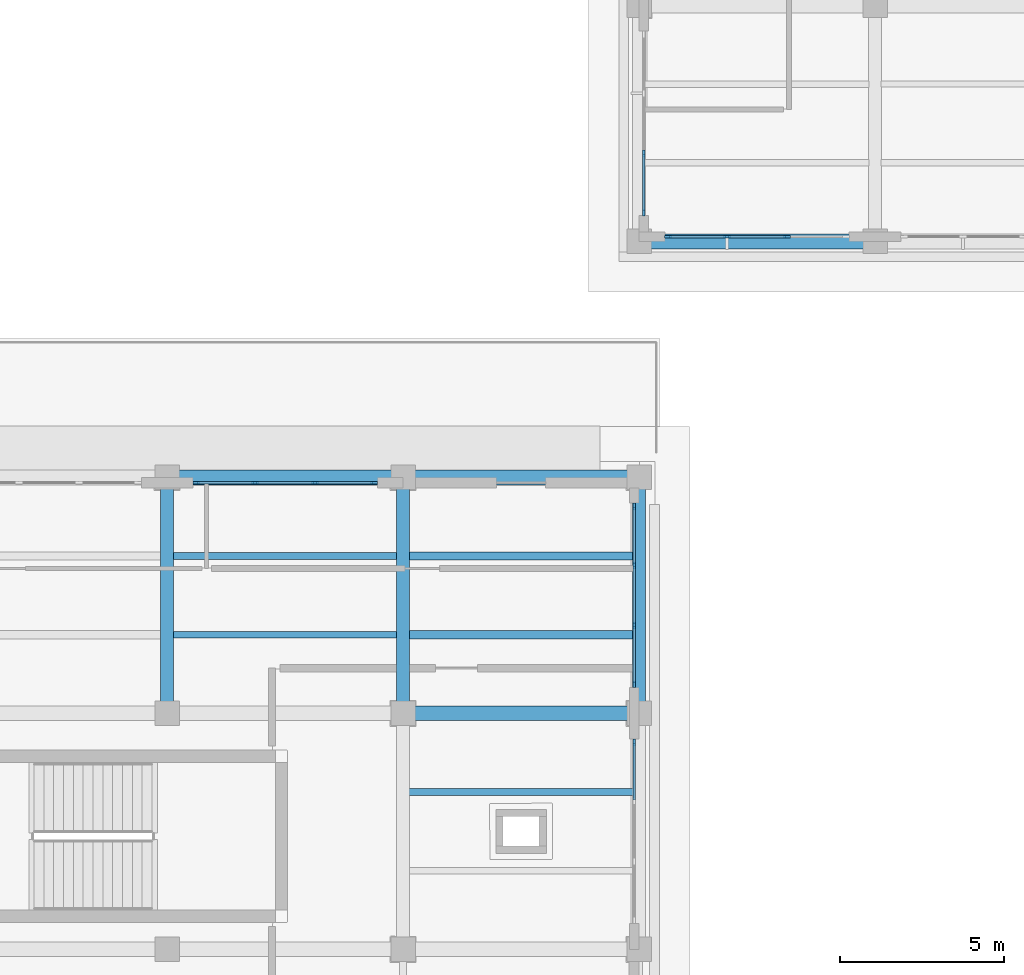
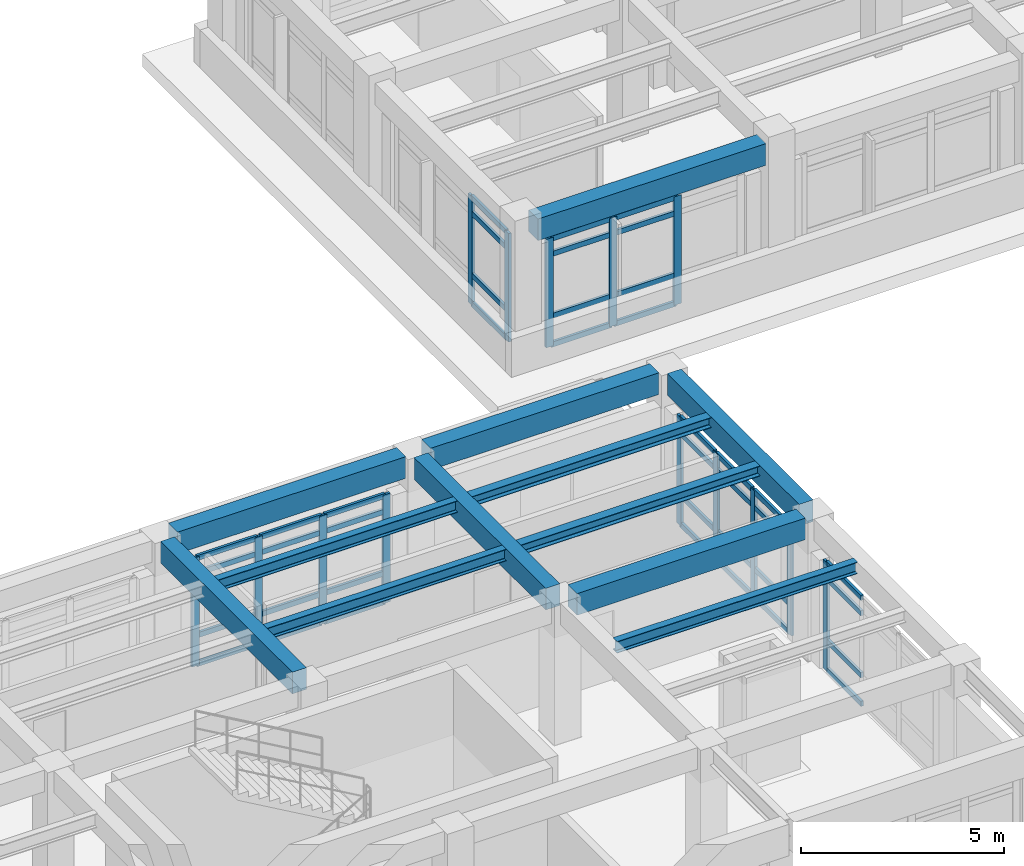
# One storey, part 13 of 64: 54 members, 12 beams, 5 elements without a shape of their own.
"""IFC4 building model written with IfcOpenShell, lengths in metres."""

from ifc_helpers import new_model, si_unit, direction, frame, origin, origin_2d, place, context, subcontext, project, spatial, rectangle, i_section, extrude, material, layer, layer_set, material_profile, profile_set, type_object, element, aggregate, save


model = new_model("IFC4")

# Units and contexts
model_context = context("Model", 3, precision=1e-05, world=origin(), true_north=direction((0.0, 1.0)))
body_context = subcontext(model_context, "Body", "Model", "MODEL_VIEW")
ifc_project = project(units=[si_unit("LENGTHUNIT", "METRE"), si_unit("AREAUNIT", "SQUARE_METRE"), si_unit("VOLUMEUNIT", "CUBIC_METRE"), si_unit("PLANEANGLEUNIT", "RADIAN"), si_unit("MASSUNIT", "GRAM", prefix="KILO")], contexts=[model_context])

# Site, building, storey
site_placement = place(None, origin())
site = spatial("IfcSite", under=ifc_project, at=site_placement, CompositionType="ELEMENT")
building_placement = place(site_placement, origin())
building = spatial("IfcBuilding", under=site, at=building_placement, Name="Solenvale Faculty of Natural Sciences", CompositionType="ELEMENT")
storey_placement = place(building_placement, frame((0.0, 0.0, 18.0)))
storey = spatial("IfcBuildingStorey", under=building, at=storey_placement, Name="L04", CompositionType="ELEMENT", Elevation=18.0)

# Beams
ifc_material_1 = material(Name="Concrete 40 MPa", Category="concrete")
ifc_material_profile_1 = material_profile(ifc_material_1, rectangle(XDim=0.39990234375, YDim=0.64990234375, at=origin_2d()), Name="RC-BM-400x650")
ifc_profile_set_1 = profile_set([ifc_material_profile_1], Name="Concrete 40 MPa")
beam_type_1 = type_object("IfcBeamType", Name="BM-RC-400x650", PredefinedType="BEAM", material=ifc_profile_set_1)
for number, where, z_axis, x_axis, name in (
    (1, (100.800048828125, 29.155029296875, 3.89501953125), (0.0, 1.0, 0.0), (-1.0, 0.0, 0.0), "L04 Y-Girder X100.8 (28.8..36.0)"),
    (2, (108.0, 29.155029296875, 3.89501953125), (0.0, 1.0, 0.0), (-1.0, 0.0, 0.0), "L04 Y-Girder X108.0 (28.8..36.0)"),
    (3, (115.199951171875, 29.155029296875, 3.89501953125), (0.0, 1.0, 0.0), (-1.0, 0.0, 0.0), "L04 Y-Girder X115.2 (28.8..36.0)"),
):
    element("IfcBeam", number, at=place(storey_placement, frame(where, z_axis=z_axis, x_axis=x_axis)), inside=storey, type_object=beam_type_1, Name=name, PredefinedType="BEAM", context=body_context, shape_type="SweptSolid", body=[
        extrude(rectangle(XDim=0.39990234375, YDim=0.64990234375, at=origin_2d()), origin(), (0.0, 0.0, 1.0), 6.489990234375),
    ])
ifc_material_profile_2 = material_profile(ifc_material_1, rectangle(XDim=0.449951171875, YDim=0.64990234375, at=origin_2d()), Name="RC-BM-450x650")
ifc_profile_set_2 = profile_set([ifc_material_profile_2], Name="Concrete 40 MPa")
beam_type_2 = type_object("IfcBeamType", Name="BM-RC-450x650", PredefinedType="BEAM", material=ifc_profile_set_2)
for number, where, z_axis, x_axis, name in (
    (4, (108.35498046875, 28.800048828125, 3.89501953125), (1.0, 0.0, 0.0), (0.0, 1.0, 0.0), "L04 X-Girder Y28.8 (108.0..115.2)"),
    (5, (101.155029296875, 36.0, 3.89501953125), (1.0, 0.0, 0.0), (0.0, 1.0, 0.0), "L04 X-Girder Y36.0 (100.8..108.0)"),
    (6, (108.35498046875, 36.0, 3.89501953125), (1.0, 0.0, 0.0), (0.0, 1.0, 0.0), "L04 X-Girder Y36.0 (108.0..115.2)"),
    (7, (115.554931640625, 43.199951171875, 3.89501953125), (1.0, 0.0, 0.0), (0.0, 1.0, 0.0), "L04 X-Girder Y43.2 (115.2..122.4)"),
):
    element("IfcBeam", number, at=place(storey_placement, frame(where, z_axis=z_axis, x_axis=x_axis)), inside=storey, type_object=beam_type_2, Name=name, PredefinedType="BEAM", context=body_context, shape_type="SweptSolid", body=[
        extrude(rectangle(XDim=0.449951171875, YDim=0.64990234375, at=origin_2d()), origin(), (0.0, 0.0, 1.0), 6.489990234375),
    ])
ifc_material_2 = material(Name="Steel S355", Category="steel")
ifc_material_profile_3 = material_profile(ifc_material_2, i_section(OverallWidth=0.25390625, OverallDepth=0.305908203125, WebThickness=0.0087890625, FlangeThickness=0.0146484375, FilletRadius=0.014892578125, at=origin_2d()), Name="W310x79")
ifc_profile_set_3 = profile_set([ifc_material_profile_3], Name="Steel S355")
beam_type_3 = type_object("IfcBeamType", Name="BM-STL-W310x79", PredefinedType="JOIST", material=ifc_profile_set_3)
for number, where, z_axis, x_axis, name in (
    (8, (108.179931640625, 31.199951171875, 4.06689453125), (1.0, 0.0, 0.0), (0.0, 1.0, 0.0), "L04 Composite Floor Joist (16,5).1"),
    (9, (108.179931640625, 33.60009765625, 4.06689453125), (1.0, 0.0, 0.0), (0.0, 1.0, 0.0), "L04 Composite Floor Joist (16,5).2"),
):
    element("IfcBeam", number, at=place(storey_placement, frame(where, z_axis=z_axis, x_axis=x_axis)), inside=storey, type_object=beam_type_3, Name=name, PredefinedType="JOIST", context=body_context, shape_type="SweptSolid", body=[
        extrude(i_section(OverallWidth=0.25390625, OverallDepth=0.305908203125, WebThickness=0.0087890625, FlangeThickness=0.0146484375, FilletRadius=0.014892578125, at=origin_2d()), origin(), (0.0, 0.0, 1.0), 6.840087890625),
    ])
ifc_material_profile_4 = material_profile(ifc_material_2, i_section(OverallWidth=0.2041015625, OverallDepth=0.35009765625, WebThickness=0.008544921875, FlangeThickness=0.01513671875, FilletRadius=0.014892578125, at=origin_2d()), Name="W360x72")
ifc_profile_set_4 = profile_set([ifc_material_profile_4], Name="Steel S355")
beam_type_4 = type_object("IfcBeamType", Name="BM-STL-W360x72", PredefinedType="JOIST", material=ifc_profile_set_4)
for number, where, z_axis, x_axis, name in (
    (10, (100.97998046875, 31.199951171875, 4.044921875), (1.0, 0.0, 0.0), (0.0, 1.0, 0.0), "L04 Composite Floor Joist (15,5).1"),
    (11, (100.97998046875, 33.60009765625, 4.044921875), (1.0, 0.0, 0.0), (0.0, 1.0, 0.0), "L04 Composite Floor Joist (15,5).2"),
    (12, (108.179931640625, 26.39990234375, 4.044921875), (1.0, 0.0, 0.0), (0.0, 1.0, 0.0), "L04 Composite Floor Joist (16,4).2"),
):
    element("IfcBeam", number, at=place(storey_placement, frame(where, z_axis=z_axis, x_axis=x_axis)), inside=storey, type_object=beam_type_4, Name=name, PredefinedType="JOIST", context=body_context, shape_type="SweptSolid", body=[
        extrude(i_section(OverallWidth=0.2041015625, OverallDepth=0.35009765625, WebThickness=0.008544921875, FlangeThickness=0.01513671875, FilletRadius=0.014892578125, at=origin_2d()), origin(), (0.0, 0.0, 1.0), 6.840087890625),
    ])

# Curtain wall, member
ifc_material_3 = material(Name="Anodised bronze aluminium", Category="aluminium")
ifc_layer_1 = layer(ifc_material_3, 0.179931640625)
ifc_layer_set_1 = layer_set([ifc_layer_1], Name="Anodised bronze aluminium")
curtain_wall_type_1 = type_object("IfcCurtainWallType", Name="CW-TWR-MOD", PredefinedType="USERDEFINED", material=ifc_layer_set_1)
curtain_wall_1_placement = place(storey_placement, origin())
curtain_wall_1 = element("IfcCurtainWall", 13, at=curtain_wall_1_placement, inside=storey, type_object=curtain_wall_type_1, Name="L04 Curtain Wall CW-L04-P1-E7-B2", ObjectType="UNITISED CURTAIN WALL", PredefinedType="USERDEFINED")
ifc_material_profile_5 = material_profile(ifc_material_3, rectangle(XDim=0.074951171875, YDim=0.2099609375, at=origin_2d()), Name="ALU-MUL-75x210")
ifc_profile_set_5 = profile_set([ifc_material_profile_5], Name="Anodised bronze aluminium")
member_type_1 = type_object("IfcMemberType", Name="CWM-ALU-75x210", PredefinedType="MULLION", material=ifc_profile_set_5)
member_1_placement = place(storey_placement, frame((115.0576171875, 27.91259765625, 0.0), z_axis=(0.0, 0.0, 1.0), x_axis=(-1.0, 0.0, 0.0)))
member_1 = element("IfcMember", 14, at=member_1_placement, type_object=member_type_1, Name="CW-04 mullion 4", PredefinedType="MULLION", context=body_context, shape_type="SweptSolid", body=[
    extrude(rectangle(XDim=0.074951171875, YDim=0.2099609375, at=origin_2d()), origin(), (0.0, 0.0, 1.0), 3.260009765625),
])

# Curtain wall, members
curtain_wall_2_placement = place(storey_placement, origin())
curtain_wall_2 = element("IfcCurtainWall", 15, at=curtain_wall_2_placement, inside=storey, type_object=curtain_wall_type_1, Name="L04 Curtain Wall CW-L04-P1-E7-B3", ObjectType="UNITISED CURTAIN WALL", PredefinedType="USERDEFINED")
member_2_placement = place(storey_placement, frame((115.0576171875, 29.6875, 0.0), z_axis=(0.0, 0.0, 1.0), x_axis=(-1.0, 0.0, 0.0)))
member_2 = element("IfcMember", 16, at=member_2_placement, type_object=member_type_1, Name="CW-04 mullion 1", PredefinedType="MULLION", context=body_context, shape_type="SweptSolid", body=[
    extrude(rectangle(XDim=0.074951171875, YDim=0.2099609375, at=origin_2d()), origin(), (0.0, 0.0, 1.0), 3.260009765625),
])
member_3_placement = place(storey_placement, frame((115.0576171875, 31.4833984375, 0.0), z_axis=(0.0, 0.0, 1.0), x_axis=(-1.0, 0.0, 0.0)))
member_3 = element("IfcMember", 17, at=member_3_placement, type_object=member_type_1, Name="CW-04 mullion 2", PredefinedType="MULLION", context=body_context, shape_type="SweptSolid", body=[
    extrude(rectangle(XDim=0.074951171875, YDim=0.2099609375, at=origin_2d()), origin(), (0.0, 0.0, 1.0), 3.260009765625),
])
member_4_placement = place(storey_placement, frame((115.0576171875, 33.316650390625, 0.0), z_axis=(0.0, 0.0, 1.0), x_axis=(-1.0, 0.0, 0.0)))
member_4 = element("IfcMember", 18, at=member_4_placement, type_object=member_type_1, Name="CW-04 mullion 3", PredefinedType="MULLION", context=body_context, shape_type="SweptSolid", body=[
    extrude(rectangle(XDim=0.074951171875, YDim=0.2099609375, at=origin_2d()), origin(), (0.0, 0.0, 1.0), 3.260009765625),
])
member_5_placement = place(storey_placement, frame((115.0576171875, 35.112548828125, 0.0), z_axis=(0.0, 0.0, 1.0), x_axis=(-1.0, 0.0, 0.0)))
member_5 = element("IfcMember", 19, at=member_5_placement, type_object=member_type_1, Name="CW-04 mullion 4", PredefinedType="MULLION", context=body_context, shape_type="SweptSolid", body=[
    extrude(rectangle(XDim=0.074951171875, YDim=0.2099609375, at=origin_2d()), origin(), (0.0, 0.0, 1.0), 3.260009765625),
])

ifc_layer_2 = layer(ifc_material_3, 0.18994140625)
ifc_layer_set_2 = layer_set([ifc_layer_2], Name="Anodised bronze aluminium")
curtain_wall_type_2 = type_object("IfcCurtainWallType", Name="CW-TRAY-REC", PredefinedType="USERDEFINED", material=ifc_layer_set_2)
curtain_wall_3_placement = place(storey_placement, origin())
curtain_wall_3 = element("IfcCurtainWall", 20, at=curtain_wall_3_placement, inside=storey, type_object=curtain_wall_type_2, Name="L04 Curtain Wall CW-L04-P1-E8-B2", ObjectType="UNITISED CURTAIN WALL", PredefinedType="USERDEFINED")
member_6_placement = place(storey_placement, frame((107.112548828125, 35.83740234375, 0.0), z_axis=(0.0, 0.0, 1.0), x_axis=(0.0, -1.0, 0.0)))
member_6 = element("IfcMember", 21, at=member_6_placement, type_object=member_type_1, Name="CW-02 mullion 1", PredefinedType="MULLION", context=body_context, shape_type="SweptSolid", body=[
    extrude(rectangle(XDim=0.074951171875, YDim=0.2099609375, at=origin_2d()), origin(), (0.0, 0.0, 1.0), 3.260009765625),
])
member_7_placement = place(storey_placement, frame((105.316650390625, 35.83740234375, 0.0), z_axis=(0.0, 0.0, 1.0), x_axis=(0.0, -1.0, 0.0)))
member_7 = element("IfcMember", 22, at=member_7_placement, type_object=member_type_1, Name="CW-02 mullion 2", PredefinedType="MULLION", context=body_context, shape_type="SweptSolid", body=[
    extrude(rectangle(XDim=0.074951171875, YDim=0.2099609375, at=origin_2d()), origin(), (0.0, 0.0, 1.0), 3.260009765625),
])
member_8_placement = place(storey_placement, frame((103.4833984375, 35.83740234375, 0.0), z_axis=(0.0, 0.0, 1.0), x_axis=(0.0, -1.0, 0.0)))
member_8 = element("IfcMember", 23, at=member_8_placement, type_object=member_type_1, Name="CW-02 mullion 3", PredefinedType="MULLION", context=body_context, shape_type="SweptSolid", body=[
    extrude(rectangle(XDim=0.074951171875, YDim=0.2099609375, at=origin_2d()), origin(), (0.0, 0.0, 1.0), 3.260009765625),
])
member_9_placement = place(storey_placement, frame((101.6875, 35.83740234375, 0.0), z_axis=(0.0, 0.0, 1.0), x_axis=(0.0, -1.0, 0.0)))
member_9 = element("IfcMember", 24, at=member_9_placement, type_object=member_type_1, Name="CW-02 mullion 4", PredefinedType="MULLION", context=body_context, shape_type="SweptSolid", body=[
    extrude(rectangle(XDim=0.074951171875, YDim=0.2099609375, at=origin_2d()), origin(), (0.0, 0.0, 1.0), 3.260009765625),
])

ifc_layer_3 = layer(ifc_material_3, 0.199951171875)
ifc_layer_set_3 = layer_set([ifc_layer_3], Name="Anodised bronze aluminium")
curtain_wall_type_3 = type_object("IfcCurtainWallType", Name="CW-COM-FIN", PredefinedType="USERDEFINED", material=ifc_layer_set_3)
curtain_wall_4_placement = place(storey_placement, origin())
curtain_wall_4 = element("IfcCurtainWall", 25, at=curtain_wall_4_placement, inside=storey, type_object=curtain_wall_type_3, Name="L04 Curtain Wall CW-L04-P2-E1-B1", ObjectType="UNITISED CURTAIN WALL", PredefinedType="USERDEFINED")
member_10_placement = place(storey_placement, frame((116.08740234375, 43.342529296875, 0.0), z_axis=(0.0, 0.0, 1.0), x_axis=(0.0, 1.0, 0.0)))
member_10 = element("IfcMember", 26, at=member_10_placement, type_object=member_type_1, Name="CW-03 mullion 1", PredefinedType="MULLION", context=body_context, shape_type="SweptSolid", body=[
    extrude(rectangle(XDim=0.074951171875, YDim=0.2099609375, at=origin_2d()), origin(), (0.0, 0.0, 1.0), 3.260009765625),
])
member_11_placement = place(storey_placement, frame((117.88330078125, 43.342529296875, 0.0), z_axis=(0.0, 0.0, 1.0), x_axis=(0.0, 1.0, 0.0)))
member_11 = element("IfcMember", 27, at=member_11_placement, type_object=member_type_1, Name="CW-03 mullion 2", PredefinedType="MULLION", context=body_context, shape_type="SweptSolid", body=[
    extrude(rectangle(XDim=0.074951171875, YDim=0.2099609375, at=origin_2d()), origin(), (0.0, 0.0, 1.0), 3.260009765625),
])
member_12_placement = place(storey_placement, frame((119.716552734375, 43.342529296875, 0.0), z_axis=(0.0, 0.0, 1.0), x_axis=(0.0, 1.0, 0.0)))
member_12 = element("IfcMember", 28, at=member_12_placement, type_object=member_type_1, Name="CW-03 mullion 3", PredefinedType="MULLION", context=body_context, shape_type="SweptSolid", body=[
    extrude(rectangle(XDim=0.074951171875, YDim=0.2099609375, at=origin_2d()), origin(), (0.0, 0.0, 1.0), 3.260009765625),
])

curtain_wall_5_placement = place(storey_placement, origin())
curtain_wall_5 = element("IfcCurtainWall", 29, at=curtain_wall_5_placement, inside=storey, type_object=curtain_wall_type_3, Name="L04 Curtain Wall CW-L04-P2-E4-B2", ObjectType="UNITISED CURTAIN WALL", PredefinedType="USERDEFINED")
member_13_placement = place(storey_placement, frame((115.342529296875, 45.88330078125, 0.0), z_axis=(0.0, 0.0, 1.0), x_axis=(1.0, 0.0, 0.0)))
member_13 = element("IfcMember", 30, at=member_13_placement, type_object=member_type_1, Name="CW-03 mullion 3", PredefinedType="MULLION", context=body_context, shape_type="SweptSolid", body=[
    extrude(rectangle(XDim=0.074951171875, YDim=0.2099609375, at=origin_2d()), origin(), (0.0, 0.0, 1.0), 3.260009765625),
])
member_14_placement = place(storey_placement, frame((115.342529296875, 44.08740234375, 0.0), z_axis=(0.0, 0.0, 1.0), x_axis=(1.0, 0.0, 0.0)))
member_14 = element("IfcMember", 31, at=member_14_placement, type_object=member_type_1, Name="CW-03 mullion 4", PredefinedType="MULLION", context=body_context, shape_type="SweptSolid", body=[
    extrude(rectangle(XDim=0.074951171875, YDim=0.2099609375, at=origin_2d()), origin(), (0.0, 0.0, 1.0), 3.260009765625),
])

# Member
ifc_material_profile_6 = material_profile(ifc_material_3, rectangle(XDim=0.074951171875, YDim=0.155029296875, at=origin_2d()), Name="ALU-TRN-75x155")
ifc_profile_set_6 = profile_set([ifc_material_profile_6], Name="Anodised bronze aluminium")
member_type_2 = type_object("IfcMemberType", Name="CWT-ALU-75x155", PredefinedType="USERDEFINED", material=ifc_profile_set_6)
member_15_placement = place(storey_placement, frame((115.0576171875, 26.154052734375, 0.03759765625), z_axis=(0.0, 1.0, 0.0), x_axis=(-1.0, 0.0, 0.0)))
member_15 = element("IfcMember", 32, at=member_15_placement, type_object=member_type_2, Name="CW-04 transom 3.1", ObjectType="TRANSOM", PredefinedType="USERDEFINED", context=body_context, shape_type="SweptSolid", body=[
    extrude(rectangle(XDim=0.074951171875, YDim=0.155029296875, at=origin_2d()), origin(), (0.0, 0.0, 1.0), 1.720947265625),
])

member_16_placement = place(storey_placement, frame((115.0576171875, 26.154052734375, 0.89990234375), z_axis=(0.0, 1.0, 0.0), x_axis=(-1.0, 0.0, 0.0)))
member_16 = element("IfcMember", 33, at=member_16_placement, type_object=member_type_2, Name="CW-04 transom 3.2", ObjectType="TRANSOM", PredefinedType="USERDEFINED", context=body_context, shape_type="SweptSolid", body=[
    extrude(rectangle(XDim=0.074951171875, YDim=0.155029296875, at=origin_2d()), origin(), (0.0, 0.0, 1.0), 1.720947265625),
])

member_17_placement = place(storey_placement, frame((115.0576171875, 26.154052734375, 2.760009765625), z_axis=(0.0, 1.0, 0.0), x_axis=(-1.0, 0.0, 0.0)))
member_17 = element("IfcMember", 34, at=member_17_placement, type_object=member_type_2, Name="CW-04 transom 3.3", ObjectType="TRANSOM", PredefinedType="USERDEFINED", context=body_context, shape_type="SweptSolid", body=[
    extrude(rectangle(XDim=0.074951171875, YDim=0.155029296875, at=origin_2d()), origin(), (0.0, 0.0, 1.0), 1.720947265625),
])

member_18_placement = place(storey_placement, frame((115.0576171875, 26.154052734375, 3.222412109375), z_axis=(0.0, 1.0, 0.0), x_axis=(-1.0, 0.0, 0.0)))
member_18 = element("IfcMember", 35, at=member_18_placement, type_object=member_type_2, Name="CW-04 transom 3.4", ObjectType="TRANSOM", PredefinedType="USERDEFINED", context=body_context, shape_type="SweptSolid", body=[
    extrude(rectangle(XDim=0.074951171875, YDim=0.155029296875, at=origin_2d()), origin(), (0.0, 0.0, 1.0), 1.720947265625),
])

aggregate(curtain_wall_1, [member_1, member_15, member_16, member_17, member_18])

member_19_placement = place(storey_placement, frame((115.0576171875, 29.72509765625, 0.03759765625), z_axis=(0.0, 1.0, 0.0), x_axis=(-1.0, 0.0, 0.0)))
member_19 = element("IfcMember", 36, at=member_19_placement, type_object=member_type_2, Name="CW-04 transom 1.1", ObjectType="TRANSOM", PredefinedType="USERDEFINED", context=body_context, shape_type="SweptSolid", body=[
    extrude(rectangle(XDim=0.074951171875, YDim=0.155029296875, at=origin_2d()), origin(), (0.0, 0.0, 1.0), 1.720703125),
])

member_20_placement = place(storey_placement, frame((115.0576171875, 29.72509765625, 0.89990234375), z_axis=(0.0, 1.0, 0.0), x_axis=(-1.0, 0.0, 0.0)))
member_20 = element("IfcMember", 37, at=member_20_placement, type_object=member_type_2, Name="CW-04 transom 1.2", ObjectType="TRANSOM", PredefinedType="USERDEFINED", context=body_context, shape_type="SweptSolid", body=[
    extrude(rectangle(XDim=0.074951171875, YDim=0.155029296875, at=origin_2d()), origin(), (0.0, 0.0, 1.0), 1.720703125),
])

member_21_placement = place(storey_placement, frame((115.0576171875, 29.72509765625, 2.760009765625), z_axis=(0.0, 1.0, 0.0), x_axis=(-1.0, 0.0, 0.0)))
member_21 = element("IfcMember", 38, at=member_21_placement, type_object=member_type_2, Name="CW-04 transom 1.3", ObjectType="TRANSOM", PredefinedType="USERDEFINED", context=body_context, shape_type="SweptSolid", body=[
    extrude(rectangle(XDim=0.074951171875, YDim=0.155029296875, at=origin_2d()), origin(), (0.0, 0.0, 1.0), 1.720703125),
])

member_22_placement = place(storey_placement, frame((115.0576171875, 29.72509765625, 3.222412109375), z_axis=(0.0, 1.0, 0.0), x_axis=(-1.0, 0.0, 0.0)))
member_22 = element("IfcMember", 39, at=member_22_placement, type_object=member_type_2, Name="CW-04 transom 1.4", ObjectType="TRANSOM", PredefinedType="USERDEFINED", context=body_context, shape_type="SweptSolid", body=[
    extrude(rectangle(XDim=0.074951171875, YDim=0.155029296875, at=origin_2d()), origin(), (0.0, 0.0, 1.0), 1.720703125),
])

member_23_placement = place(storey_placement, frame((115.0576171875, 31.520751953125, 0.03759765625), z_axis=(0.0, 1.0, 0.0), x_axis=(-1.0, 0.0, 0.0)))
member_23 = element("IfcMember", 40, at=member_23_placement, type_object=member_type_2, Name="CW-04 transom 2.1", ObjectType="TRANSOM", PredefinedType="USERDEFINED", context=body_context, shape_type="SweptSolid", body=[
    extrude(rectangle(XDim=0.074951171875, YDim=0.155029296875, at=origin_2d()), origin(), (0.0, 0.0, 1.0), 1.75830078125),
])

member_24_placement = place(storey_placement, frame((115.0576171875, 31.520751953125, 0.89990234375), z_axis=(0.0, 1.0, 0.0), x_axis=(-1.0, 0.0, 0.0)))
member_24 = element("IfcMember", 41, at=member_24_placement, type_object=member_type_2, Name="CW-04 transom 2.2", ObjectType="TRANSOM", PredefinedType="USERDEFINED", context=body_context, shape_type="SweptSolid", body=[
    extrude(rectangle(XDim=0.074951171875, YDim=0.155029296875, at=origin_2d()), origin(), (0.0, 0.0, 1.0), 1.75830078125),
])

member_25_placement = place(storey_placement, frame((115.0576171875, 31.520751953125, 2.760009765625), z_axis=(0.0, 1.0, 0.0), x_axis=(-1.0, 0.0, 0.0)))
member_25 = element("IfcMember", 42, at=member_25_placement, type_object=member_type_2, Name="CW-04 transom 2.3", ObjectType="TRANSOM", PredefinedType="USERDEFINED", context=body_context, shape_type="SweptSolid", body=[
    extrude(rectangle(XDim=0.074951171875, YDim=0.155029296875, at=origin_2d()), origin(), (0.0, 0.0, 1.0), 1.75830078125),
])

member_26_placement = place(storey_placement, frame((115.0576171875, 31.520751953125, 3.222412109375), z_axis=(0.0, 1.0, 0.0), x_axis=(-1.0, 0.0, 0.0)))
member_26 = element("IfcMember", 43, at=member_26_placement, type_object=member_type_2, Name="CW-04 transom 2.4", ObjectType="TRANSOM", PredefinedType="USERDEFINED", context=body_context, shape_type="SweptSolid", body=[
    extrude(rectangle(XDim=0.074951171875, YDim=0.155029296875, at=origin_2d()), origin(), (0.0, 0.0, 1.0), 1.75830078125),
])

member_27_placement = place(storey_placement, frame((115.0576171875, 33.354248046875, 0.03759765625), z_axis=(0.0, 1.0, 0.0), x_axis=(-1.0, 0.0, 0.0)))
member_27 = element("IfcMember", 44, at=member_27_placement, type_object=member_type_2, Name="CW-04 transom 3.1", ObjectType="TRANSOM", PredefinedType="USERDEFINED", context=body_context, shape_type="SweptSolid", body=[
    extrude(rectangle(XDim=0.074951171875, YDim=0.155029296875, at=origin_2d()), origin(), (0.0, 0.0, 1.0), 1.720703125),
])

member_28_placement = place(storey_placement, frame((115.0576171875, 33.354248046875, 0.89990234375), z_axis=(0.0, 1.0, 0.0), x_axis=(-1.0, 0.0, 0.0)))
member_28 = element("IfcMember", 45, at=member_28_placement, type_object=member_type_2, Name="CW-04 transom 3.2", ObjectType="TRANSOM", PredefinedType="USERDEFINED", context=body_context, shape_type="SweptSolid", body=[
    extrude(rectangle(XDim=0.074951171875, YDim=0.155029296875, at=origin_2d()), origin(), (0.0, 0.0, 1.0), 1.720703125),
])

member_29_placement = place(storey_placement, frame((115.0576171875, 33.354248046875, 2.760009765625), z_axis=(0.0, 1.0, 0.0), x_axis=(-1.0, 0.0, 0.0)))
member_29 = element("IfcMember", 46, at=member_29_placement, type_object=member_type_2, Name="CW-04 transom 3.3", ObjectType="TRANSOM", PredefinedType="USERDEFINED", context=body_context, shape_type="SweptSolid", body=[
    extrude(rectangle(XDim=0.074951171875, YDim=0.155029296875, at=origin_2d()), origin(), (0.0, 0.0, 1.0), 1.720703125),
])

member_30_placement = place(storey_placement, frame((115.0576171875, 33.354248046875, 3.222412109375), z_axis=(0.0, 1.0, 0.0), x_axis=(-1.0, 0.0, 0.0)))
member_30 = element("IfcMember", 47, at=member_30_placement, type_object=member_type_2, Name="CW-04 transom 3.4", ObjectType="TRANSOM", PredefinedType="USERDEFINED", context=body_context, shape_type="SweptSolid", body=[
    extrude(rectangle(XDim=0.074951171875, YDim=0.155029296875, at=origin_2d()), origin(), (0.0, 0.0, 1.0), 1.720703125),
])

aggregate(curtain_wall_2, [member_2, member_3, member_4, member_5, member_19, member_20, member_21, member_22, member_23, member_24, member_25, member_26, member_27, member_28, member_29, member_30])

member_31_placement = place(storey_placement, frame((107.074951171875, 35.83740234375, 0.03759765625), z_axis=(-1.0, 0.0, 0.0), x_axis=(0.0, -1.0, 0.0)))
member_31 = element("IfcMember", 48, at=member_31_placement, type_object=member_type_2, Name="CW-02 transom 1.1", ObjectType="TRANSOM", PredefinedType="USERDEFINED", context=body_context, shape_type="SweptSolid", body=[
    extrude(rectangle(XDim=0.074951171875, YDim=0.155029296875, at=origin_2d()), origin(), (0.0, 0.0, 1.0), 1.720703125),
])

member_32_placement = place(storey_placement, frame((107.074951171875, 35.83740234375, 0.89990234375), z_axis=(-1.0, 0.0, 0.0), x_axis=(0.0, -1.0, 0.0)))
member_32 = element("IfcMember", 49, at=member_32_placement, type_object=member_type_2, Name="CW-02 transom 1.2", ObjectType="TRANSOM", PredefinedType="USERDEFINED", context=body_context, shape_type="SweptSolid", body=[
    extrude(rectangle(XDim=0.074951171875, YDim=0.155029296875, at=origin_2d()), origin(), (0.0, 0.0, 1.0), 1.720703125),
])

member_33_placement = place(storey_placement, frame((107.074951171875, 35.83740234375, 2.760009765625), z_axis=(-1.0, 0.0, 0.0), x_axis=(0.0, -1.0, 0.0)))
member_33 = element("IfcMember", 50, at=member_33_placement, type_object=member_type_2, Name="CW-02 transom 1.3", ObjectType="TRANSOM", PredefinedType="USERDEFINED", context=body_context, shape_type="SweptSolid", body=[
    extrude(rectangle(XDim=0.074951171875, YDim=0.155029296875, at=origin_2d()), origin(), (0.0, 0.0, 1.0), 1.720703125),
])

member_34_placement = place(storey_placement, frame((107.074951171875, 35.83740234375, 3.222412109375), z_axis=(-1.0, 0.0, 0.0), x_axis=(0.0, -1.0, 0.0)))
member_34 = element("IfcMember", 51, at=member_34_placement, type_object=member_type_2, Name="CW-02 transom 1.4", ObjectType="TRANSOM", PredefinedType="USERDEFINED", context=body_context, shape_type="SweptSolid", body=[
    extrude(rectangle(XDim=0.074951171875, YDim=0.155029296875, at=origin_2d()), origin(), (0.0, 0.0, 1.0), 1.720703125),
])

member_35_placement = place(storey_placement, frame((105.279052734375, 35.83740234375, 0.03759765625), z_axis=(-1.0, 0.0, 0.0), x_axis=(0.0, -1.0, 0.0)))
member_35 = element("IfcMember", 52, at=member_35_placement, type_object=member_type_2, Name="CW-02 transom 2.1", ObjectType="TRANSOM", PredefinedType="USERDEFINED", context=body_context, shape_type="SweptSolid", body=[
    extrude(rectangle(XDim=0.074951171875, YDim=0.155029296875, at=origin_2d()), origin(), (0.0, 0.0, 1.0), 1.75830078125),
])

member_36_placement = place(storey_placement, frame((105.279052734375, 35.83740234375, 0.89990234375), z_axis=(-1.0, 0.0, 0.0), x_axis=(0.0, -1.0, 0.0)))
member_36 = element("IfcMember", 53, at=member_36_placement, type_object=member_type_2, Name="CW-02 transom 2.2", ObjectType="TRANSOM", PredefinedType="USERDEFINED", context=body_context, shape_type="SweptSolid", body=[
    extrude(rectangle(XDim=0.074951171875, YDim=0.155029296875, at=origin_2d()), origin(), (0.0, 0.0, 1.0), 1.75830078125),
])

member_37_placement = place(storey_placement, frame((105.279052734375, 35.83740234375, 2.760009765625), z_axis=(-1.0, 0.0, 0.0), x_axis=(0.0, -1.0, 0.0)))
member_37 = element("IfcMember", 54, at=member_37_placement, type_object=member_type_2, Name="CW-02 transom 2.3", ObjectType="TRANSOM", PredefinedType="USERDEFINED", context=body_context, shape_type="SweptSolid", body=[
    extrude(rectangle(XDim=0.074951171875, YDim=0.155029296875, at=origin_2d()), origin(), (0.0, 0.0, 1.0), 1.75830078125),
])

member_38_placement = place(storey_placement, frame((105.279052734375, 35.83740234375, 3.222412109375), z_axis=(-1.0, 0.0, 0.0), x_axis=(0.0, -1.0, 0.0)))
member_38 = element("IfcMember", 55, at=member_38_placement, type_object=member_type_2, Name="CW-02 transom 2.4", ObjectType="TRANSOM", PredefinedType="USERDEFINED", context=body_context, shape_type="SweptSolid", body=[
    extrude(rectangle(XDim=0.074951171875, YDim=0.155029296875, at=origin_2d()), origin(), (0.0, 0.0, 1.0), 1.75830078125),
])

member_39_placement = place(storey_placement, frame((103.44580078125, 35.83740234375, 0.03759765625), z_axis=(-1.0, 0.0, 0.0), x_axis=(0.0, -1.0, 0.0)))
member_39 = element("IfcMember", 56, at=member_39_placement, type_object=member_type_2, Name="CW-02 transom 3.1", ObjectType="TRANSOM", PredefinedType="USERDEFINED", context=body_context, shape_type="SweptSolid", body=[
    extrude(rectangle(XDim=0.074951171875, YDim=0.155029296875, at=origin_2d()), origin(), (0.0, 0.0, 1.0), 1.720703125),
])

member_40_placement = place(storey_placement, frame((103.44580078125, 35.83740234375, 0.89990234375), z_axis=(-1.0, 0.0, 0.0), x_axis=(0.0, -1.0, 0.0)))
member_40 = element("IfcMember", 57, at=member_40_placement, type_object=member_type_2, Name="CW-02 transom 3.2", ObjectType="TRANSOM", PredefinedType="USERDEFINED", context=body_context, shape_type="SweptSolid", body=[
    extrude(rectangle(XDim=0.074951171875, YDim=0.155029296875, at=origin_2d()), origin(), (0.0, 0.0, 1.0), 1.720703125),
])

member_41_placement = place(storey_placement, frame((103.44580078125, 35.83740234375, 2.760009765625), z_axis=(-1.0, 0.0, 0.0), x_axis=(0.0, -1.0, 0.0)))
member_41 = element("IfcMember", 58, at=member_41_placement, type_object=member_type_2, Name="CW-02 transom 3.3", ObjectType="TRANSOM", PredefinedType="USERDEFINED", context=body_context, shape_type="SweptSolid", body=[
    extrude(rectangle(XDim=0.074951171875, YDim=0.155029296875, at=origin_2d()), origin(), (0.0, 0.0, 1.0), 1.720703125),
])

member_42_placement = place(storey_placement, frame((103.44580078125, 35.83740234375, 3.222412109375), z_axis=(-1.0, 0.0, 0.0), x_axis=(0.0, -1.0, 0.0)))
member_42 = element("IfcMember", 59, at=member_42_placement, type_object=member_type_2, Name="CW-02 transom 3.4", ObjectType="TRANSOM", PredefinedType="USERDEFINED", context=body_context, shape_type="SweptSolid", body=[
    extrude(rectangle(XDim=0.074951171875, YDim=0.155029296875, at=origin_2d()), origin(), (0.0, 0.0, 1.0), 1.720703125),
])

aggregate(curtain_wall_3, [member_6, member_7, member_8, member_9, member_31, member_32, member_33, member_34, member_35, member_36, member_37, member_38, member_39, member_40, member_41, member_42])

member_43_placement = place(storey_placement, frame((116.125, 43.342529296875, 0.03759765625), z_axis=(1.0, 0.0, 0.0), x_axis=(0.0, 1.0, 0.0)))
member_43 = element("IfcMember", 60, at=member_43_placement, type_object=member_type_2, Name="CW-03 transom 1.1", ObjectType="TRANSOM", PredefinedType="USERDEFINED", context=body_context, shape_type="SweptSolid", body=[
    extrude(rectangle(XDim=0.074951171875, YDim=0.155029296875, at=origin_2d()), origin(), (0.0, 0.0, 1.0), 1.720947265625),
])

member_44_placement = place(storey_placement, frame((116.125, 43.342529296875, 0.89990234375), z_axis=(1.0, 0.0, 0.0), x_axis=(0.0, 1.0, 0.0)))
member_44 = element("IfcMember", 61, at=member_44_placement, type_object=member_type_2, Name="CW-03 transom 1.2", ObjectType="TRANSOM", PredefinedType="USERDEFINED", context=body_context, shape_type="SweptSolid", body=[
    extrude(rectangle(XDim=0.074951171875, YDim=0.155029296875, at=origin_2d()), origin(), (0.0, 0.0, 1.0), 1.720947265625),
])

member_45_placement = place(storey_placement, frame((116.125, 43.342529296875, 2.760009765625), z_axis=(1.0, 0.0, 0.0), x_axis=(0.0, 1.0, 0.0)))
member_45 = element("IfcMember", 62, at=member_45_placement, type_object=member_type_2, Name="CW-03 transom 1.3", ObjectType="TRANSOM", PredefinedType="USERDEFINED", context=body_context, shape_type="SweptSolid", body=[
    extrude(rectangle(XDim=0.074951171875, YDim=0.155029296875, at=origin_2d()), origin(), (0.0, 0.0, 1.0), 1.720947265625),
])

member_46_placement = place(storey_placement, frame((116.125, 43.342529296875, 3.222412109375), z_axis=(1.0, 0.0, 0.0), x_axis=(0.0, 1.0, 0.0)))
member_46 = element("IfcMember", 63, at=member_46_placement, type_object=member_type_2, Name="CW-03 transom 1.4", ObjectType="TRANSOM", PredefinedType="USERDEFINED", context=body_context, shape_type="SweptSolid", body=[
    extrude(rectangle(XDim=0.074951171875, YDim=0.155029296875, at=origin_2d()), origin(), (0.0, 0.0, 1.0), 1.720947265625),
])

member_47_placement = place(storey_placement, frame((117.9208984375, 43.342529296875, 0.03759765625), z_axis=(1.0, 0.0, 0.0), x_axis=(0.0, 1.0, 0.0)))
member_47 = element("IfcMember", 64, at=member_47_placement, type_object=member_type_2, Name="CW-03 transom 2.1", ObjectType="TRANSOM", PredefinedType="USERDEFINED", context=body_context, shape_type="SweptSolid", body=[
    extrude(rectangle(XDim=0.074951171875, YDim=0.155029296875, at=origin_2d()), origin(), (0.0, 0.0, 1.0), 1.75830078125),
])

member_48_placement = place(storey_placement, frame((117.9208984375, 43.342529296875, 0.89990234375), z_axis=(1.0, 0.0, 0.0), x_axis=(0.0, 1.0, 0.0)))
member_48 = element("IfcMember", 65, at=member_48_placement, type_object=member_type_2, Name="CW-03 transom 2.2", ObjectType="TRANSOM", PredefinedType="USERDEFINED", context=body_context, shape_type="SweptSolid", body=[
    extrude(rectangle(XDim=0.074951171875, YDim=0.155029296875, at=origin_2d()), origin(), (0.0, 0.0, 1.0), 1.75830078125),
])

member_49_placement = place(storey_placement, frame((117.9208984375, 43.342529296875, 2.760009765625), z_axis=(1.0, 0.0, 0.0), x_axis=(0.0, 1.0, 0.0)))
member_49 = element("IfcMember", 66, at=member_49_placement, type_object=member_type_2, Name="CW-03 transom 2.3", ObjectType="TRANSOM", PredefinedType="USERDEFINED", context=body_context, shape_type="SweptSolid", body=[
    extrude(rectangle(XDim=0.074951171875, YDim=0.155029296875, at=origin_2d()), origin(), (0.0, 0.0, 1.0), 1.75830078125),
])

member_50_placement = place(storey_placement, frame((117.9208984375, 43.342529296875, 3.222412109375), z_axis=(1.0, 0.0, 0.0), x_axis=(0.0, 1.0, 0.0)))
member_50 = element("IfcMember", 67, at=member_50_placement, type_object=member_type_2, Name="CW-03 transom 2.4", ObjectType="TRANSOM", PredefinedType="USERDEFINED", context=body_context, shape_type="SweptSolid", body=[
    extrude(rectangle(XDim=0.074951171875, YDim=0.155029296875, at=origin_2d()), origin(), (0.0, 0.0, 1.0), 1.75830078125),
])

aggregate(curtain_wall_4, [member_10, member_11, member_12, member_43, member_44, member_45, member_46, member_47, member_48, member_49, member_50])

member_51_placement = place(storey_placement, frame((115.342529296875, 45.845947265625, 0.03759765625), z_axis=(0.0, -1.0, 0.0), x_axis=(1.0, 0.0, 0.0)))
member_51 = element("IfcMember", 68, at=member_51_placement, type_object=member_type_2, Name="CW-03 transom 3.1", ObjectType="TRANSOM", PredefinedType="USERDEFINED", context=body_context, shape_type="SweptSolid", body=[
    extrude(rectangle(XDim=0.074951171875, YDim=0.155029296875, at=origin_2d()), origin(), (0.0, 0.0, 1.0), 1.720947265625),
])

member_52_placement = place(storey_placement, frame((115.342529296875, 45.845947265625, 0.89990234375), z_axis=(0.0, -1.0, 0.0), x_axis=(1.0, 0.0, 0.0)))
member_52 = element("IfcMember", 69, at=member_52_placement, type_object=member_type_2, Name="CW-03 transom 3.2", ObjectType="TRANSOM", PredefinedType="USERDEFINED", context=body_context, shape_type="SweptSolid", body=[
    extrude(rectangle(XDim=0.074951171875, YDim=0.155029296875, at=origin_2d()), origin(), (0.0, 0.0, 1.0), 1.720947265625),
])

member_53_placement = place(storey_placement, frame((115.342529296875, 45.845947265625, 2.760009765625), z_axis=(0.0, -1.0, 0.0), x_axis=(1.0, 0.0, 0.0)))
member_53 = element("IfcMember", 70, at=member_53_placement, type_object=member_type_2, Name="CW-03 transom 3.3", ObjectType="TRANSOM", PredefinedType="USERDEFINED", context=body_context, shape_type="SweptSolid", body=[
    extrude(rectangle(XDim=0.074951171875, YDim=0.155029296875, at=origin_2d()), origin(), (0.0, 0.0, 1.0), 1.720947265625),
])

member_54_placement = place(storey_placement, frame((115.342529296875, 45.845947265625, 3.222412109375), z_axis=(0.0, -1.0, 0.0), x_axis=(1.0, 0.0, 0.0)))
member_54 = element("IfcMember", 71, at=member_54_placement, type_object=member_type_2, Name="CW-03 transom 3.4", ObjectType="TRANSOM", PredefinedType="USERDEFINED", context=body_context, shape_type="SweptSolid", body=[
    extrude(rectangle(XDim=0.074951171875, YDim=0.155029296875, at=origin_2d()), origin(), (0.0, 0.0, 1.0), 1.720947265625),
])

aggregate(curtain_wall_5, [member_13, member_14, member_51, member_52, member_53, member_54])

save(model, "model.ifc")
